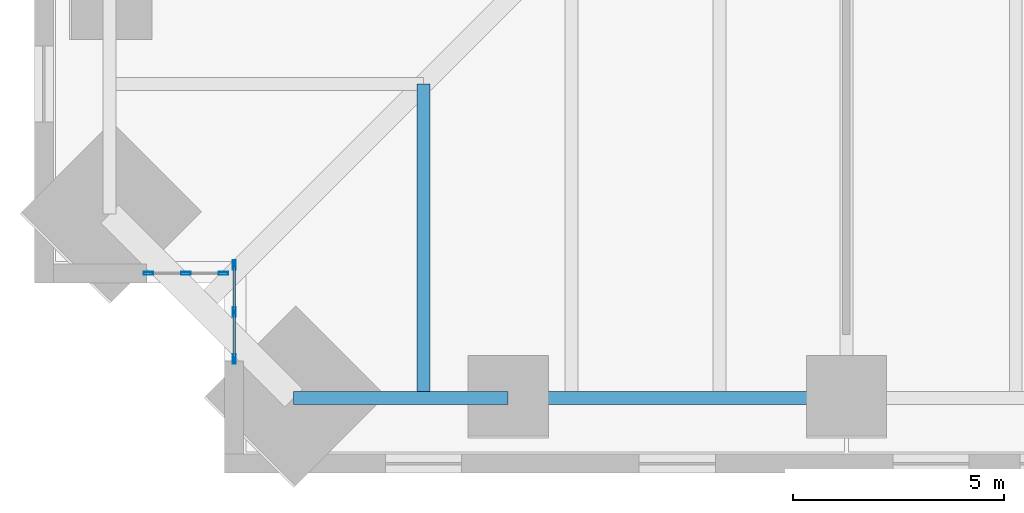
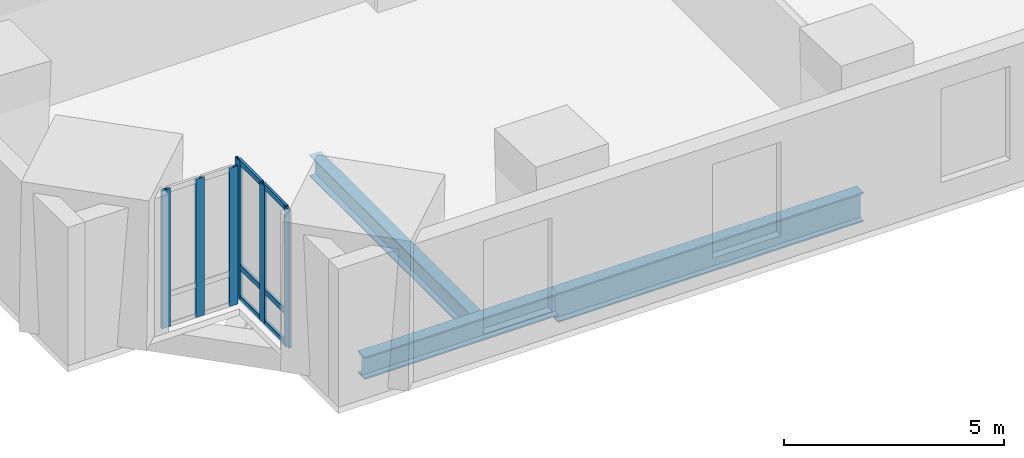
# One storey, part 2 of 16: 12 members, 3 beams, 2 elements without a shape of their own.
"""IFC4 building model written with IfcOpenShell, lengths in metres."""

from ifc_helpers import new_model, si_unit, direction, frame, origin, origin_2d, place, context, subcontext, project, spatial, hollow_rectangle, i_section, extrude, material, material_profile, profile_set, type_object, element, aggregate, save


model = new_model("IFC4")

# Units and contexts
model_context = context("Model", 3, precision=1e-05, world=origin(), true_north=direction((0.0, 1.0)))
body_context = subcontext(model_context, "Body", "Model", "MODEL_VIEW")
ifc_project = project(units=[si_unit("LENGTHUNIT", "METRE"), si_unit("AREAUNIT", "SQUARE_METRE"), si_unit("VOLUMEUNIT", "CUBIC_METRE"), si_unit("PLANEANGLEUNIT", "RADIAN"), si_unit("MASSUNIT", "GRAM", prefix="KILO")], contexts=[model_context])

# Site, building, storey
site_placement = place(None, origin())
site = spatial("IfcSite", under=ifc_project, at=site_placement, CompositionType="ELEMENT")
building_placement = place(site_placement, origin())
building = spatial("IfcBuilding", under=site, at=building_placement, Name="Peilmerk Tower", CompositionType="ELEMENT")
storey_placement = place(building_placement, frame((0.0, 0.0, 135.800048828125)))
storey = spatial("IfcBuildingStorey", under=building, at=storey_placement, Name="L27", CompositionType="ELEMENT", Elevation=135.800048828125)

# Beams
ifc_material_1 = material(Name="Steel S355", Category="steel")
ifc_material_profile_1 = material_profile(ifc_material_1, i_section(OverallWidth=0.302978515625, OverallDepth=0.81396484375, WebThickness=0.02099609375, FlangeThickness=0.0400390625, at=origin_2d()), Name="HEM 800")
ifc_profile_set_1 = profile_set([ifc_material_profile_1], Name="Steel S355")
beam_type_1 = type_object("IfcBeamType", Name="B15 HEM 800 edge beam", PredefinedType="SPANDREL", material=ifc_profile_set_1)
beam_1_placement = place(storey_placement, frame((-16.0, -25.4208984375, -0.5771484375), z_axis=(1.0, 0.0, 0.0), x_axis=(0.0, 1.0, 0.0)))
element("IfcBeam", 1, at=beam_1_placement, inside=storey, type_object=beam_type_1, Name="Edge beam L27", PredefinedType="SPANDREL", context=body_context, shape_type="SweptSolid", body=[
    extrude(i_section(OverallWidth=0.302978515625, OverallDepth=0.81396484375, WebThickness=0.02099609375, FlangeThickness=0.0400390625, at=origin_2d()), origin(), (0.0, 0.0, 1.0), 8.0),
])
ifc_material_profile_2 = material_profile(ifc_material_1, i_section(OverallWidth=0.300048828125, OverallDepth=0.590087890625, WebThickness=0.012939453125, FlangeThickness=0.02490234375, at=origin_2d()), Name="HEA 600")
ifc_profile_set_2 = profile_set([ifc_material_profile_2], Name="Steel S355")
beam_type_2 = type_object("IfcBeamType", Name="B27 HEA 600 floor beam", PredefinedType="BEAM", material=ifc_profile_set_2)
beam_2_placement = place(storey_placement, frame((-18.0, -18.0, -0.465087890625), z_axis=(0.0, -1.0, 0.0), x_axis=(1.0, 0.0, 0.0)))
element("IfcBeam", 2, at=beam_2_placement, inside=storey, type_object=beam_type_2, Name="Floor beam L27", PredefinedType="BEAM", context=body_context, shape_type="SweptSolid", body=[
    extrude(i_section(OverallWidth=0.300048828125, OverallDepth=0.590087890625, WebThickness=0.012939453125, FlangeThickness=0.02490234375, at=origin_2d()), origin(), (0.0, 0.0, 1.0), 7.4208984375),
])
ifc_material_profile_3 = material_profile(ifc_material_1, i_section(OverallWidth=0.304931640625, OverallDepth=0.6201171875, WebThickness=0.02099609375, FlangeThickness=0.0400390625, at=origin_2d()), Name="HEM 600")
ifc_profile_set_3 = profile_set([ifc_material_profile_3], Name="Steel S355")
beam_type_3 = type_object("IfcBeamType", Name="B31 HEM 600 edge beam", PredefinedType="SPANDREL", material=ifc_profile_set_3)
beam_3_placement = place(storey_placement, frame((-21.071044921875, -25.4208984375, -0.47998046875), z_axis=(1.0, 0.0, 0.0), x_axis=(0.0, 1.0, 0.0)))
element("IfcBeam", 3, at=beam_3_placement, inside=storey, type_object=beam_type_3, Name="Edge beam L27", PredefinedType="SPANDREL", context=body_context, shape_type="SweptSolid", body=[
    extrude(i_section(OverallWidth=0.304931640625, OverallDepth=0.6201171875, WebThickness=0.02099609375, FlangeThickness=0.0400390625, at=origin_2d()), origin(), (0.0, 0.0, 1.0), 5.071044921875),
])

# Curtain wall, members
ifc_material_2 = material(Name="Aluminium stick curtain wall", Category="aluminium")
curtain_wall_type = type_object("IfcCurtainWallType", Name="CW3 stick curtain wall, 2250 module", PredefinedType="NOTDEFINED", material=ifc_material_2)
curtain_wall_1_placement = place(storey_placement, origin())
curtain_wall_1 = element("IfcCurtainWall", 4, at=curtain_wall_1_placement, inside=storey, type_object=curtain_wall_type, Name="Curtain wall CW3 SWA L27", PredefinedType="NOTDEFINED")
ifc_material_3 = material(Name="Aluminium EN AW-6063 T6", Category="aluminium")
ifc_material_profile_4 = material_profile(ifc_material_3, hollow_rectangle(XDim=0.06494140625, YDim=0.22509765625, WallThickness=0.00390625, at=origin_2d()), Name="AL 225x65x4")
ifc_profile_set_4 = profile_set([ifc_material_profile_4], Name="Aluminium EN AW-6063 T6")
member_type_1 = type_object("IfcMemberType", Name="CW3-M AL 225x65x4 mullion", PredefinedType="MULLION", material=ifc_profile_set_4)
member_1_placement = place(storey_placement, frame((-22.47509765625, -22.282470703125, 0.0), z_axis=(0.0, 0.0, 1.0), x_axis=(1.0, 0.0, 0.0)))
member_1 = element("IfcMember", 5, at=member_1_placement, type_object=member_type_1, Name="CW3 mullion 1", PredefinedType="MULLION", context=body_context, shape_type="SweptSolid", body=[
    extrude(hollow_rectangle(XDim=0.06494140625, YDim=0.22509765625, WallThickness=0.00390625, at=origin_2d()), origin(), (0.0, 0.0, 1.0), 3.829833984375),
])
member_2_placement = place(storey_placement, frame((-22.47509765625, -23.394287109375, 0.0), z_axis=(0.0, 0.0, 1.0), x_axis=(1.0, 0.0, 0.0)))
member_2 = element("IfcMember", 6, at=member_2_placement, type_object=member_type_1, Name="CW3 mullion 2", PredefinedType="MULLION", context=body_context, shape_type="SweptSolid", body=[
    extrude(hollow_rectangle(XDim=0.06494140625, YDim=0.22509765625, WallThickness=0.00390625, at=origin_2d()), origin(), (0.0, 0.0, 1.0), 3.829833984375),
])
member_3_placement = place(storey_placement, frame((-22.47509765625, -24.506103515625, 0.0), z_axis=(0.0, 0.0, 1.0), x_axis=(1.0, 0.0, 0.0)))
member_3 = element("IfcMember", 7, at=member_3_placement, type_object=member_type_1, Name="CW3 mullion 3", PredefinedType="MULLION", context=body_context, shape_type="SweptSolid", body=[
    extrude(hollow_rectangle(XDim=0.06494140625, YDim=0.22509765625, WallThickness=0.00390625, at=origin_2d()), origin(), (0.0, 0.0, 1.0), 3.829833984375),
])

curtain_wall_2_placement = place(storey_placement, origin())
curtain_wall_2 = element("IfcCurtainWall", 8, at=curtain_wall_2_placement, inside=storey, type_object=curtain_wall_type, Name="Curtain wall CW3 SWB L27", PredefinedType="NOTDEFINED")
member_4_placement = place(storey_placement, frame((-22.732421875, -22.47509765625, 0.0), z_axis=(0.0, 0.0, 1.0), x_axis=(0.0, -1.0, 0.0)))
member_4 = element("IfcMember", 9, at=member_4_placement, type_object=member_type_1, Name="CW3 mullion 1", PredefinedType="MULLION", context=body_context, shape_type="SweptSolid", body=[
    extrude(hollow_rectangle(XDim=0.06494140625, YDim=0.22509765625, WallThickness=0.00390625, at=origin_2d()), origin(), (0.0, 0.0, 1.0), 3.829833984375),
])
member_5_placement = place(storey_placement, frame((-23.619384765625, -22.47509765625, 0.0), z_axis=(0.0, 0.0, 1.0), x_axis=(0.0, -1.0, 0.0)))
member_5 = element("IfcMember", 10, at=member_5_placement, type_object=member_type_1, Name="CW3 mullion 2", PredefinedType="MULLION", context=body_context, shape_type="SweptSolid", body=[
    extrude(hollow_rectangle(XDim=0.06494140625, YDim=0.22509765625, WallThickness=0.00390625, at=origin_2d()), origin(), (0.0, 0.0, 1.0), 3.829833984375),
])
member_6_placement = place(storey_placement, frame((-24.506103515625, -22.47509765625, 0.0), z_axis=(0.0, 0.0, 1.0), x_axis=(0.0, -1.0, 0.0)))
member_6 = element("IfcMember", 11, at=member_6_placement, type_object=member_type_1, Name="CW3 mullion 3", PredefinedType="MULLION", context=body_context, shape_type="SweptSolid", body=[
    extrude(hollow_rectangle(XDim=0.06494140625, YDim=0.22509765625, WallThickness=0.00390625, at=origin_2d()), origin(), (0.0, 0.0, 1.0), 3.829833984375),
])
aggregate(curtain_wall_2, [member_4, member_5, member_6])

# Member
ifc_material_profile_5 = material_profile(ifc_material_3, hollow_rectangle(XDim=0.06494140625, YDim=0.14990234375, WallThickness=0.0029296875, at=origin_2d()), Name="AL 150x65x3")
ifc_profile_set_5 = profile_set([ifc_material_profile_5], Name="Aluminium EN AW-6063 T6")
member_type_2 = type_object("IfcMemberType", Name="CW3-T AL 150x65x3 transom", PredefinedType="USERDEFINED", material=ifc_profile_set_5)
member_7_placement = place(storey_placement, frame((-22.47509765625, -22.31494140625, 0.032470703125), z_axis=(0.0, -1.0, 0.0), x_axis=(1.0, 0.0, 0.0)))
member_7 = element("IfcMember", 12, at=member_7_placement, type_object=member_type_2, Name="CW3 transom 1.1", ObjectType="TRANSOM", PredefinedType="USERDEFINED", context=body_context, shape_type="SweptSolid", body=[
    extrude(hollow_rectangle(XDim=0.06494140625, YDim=0.14990234375, WallThickness=0.0029296875, at=origin_2d()), origin(), (0.0, 0.0, 1.0), 1.046875),
])

member_8_placement = place(storey_placement, frame((-22.47509765625, -22.31494140625, 0.89990234375), z_axis=(0.0, -1.0, 0.0), x_axis=(1.0, 0.0, 0.0)))
member_8 = element("IfcMember", 13, at=member_8_placement, type_object=member_type_2, Name="CW3 transom 1.2", ObjectType="TRANSOM", PredefinedType="USERDEFINED", context=body_context, shape_type="SweptSolid", body=[
    extrude(hollow_rectangle(XDim=0.06494140625, YDim=0.14990234375, WallThickness=0.0029296875, at=origin_2d()), origin(), (0.0, 0.0, 1.0), 1.046875),
])

member_9_placement = place(storey_placement, frame((-22.47509765625, -22.31494140625, 3.79736328125), z_axis=(0.0, -1.0, 0.0), x_axis=(1.0, 0.0, 0.0)))
member_9 = element("IfcMember", 14, at=member_9_placement, type_object=member_type_2, Name="CW3 transom 1.3", ObjectType="TRANSOM", PredefinedType="USERDEFINED", context=body_context, shape_type="SweptSolid", body=[
    extrude(hollow_rectangle(XDim=0.06494140625, YDim=0.14990234375, WallThickness=0.0029296875, at=origin_2d()), origin(), (0.0, 0.0, 1.0), 1.046875),
])

member_10_placement = place(storey_placement, frame((-22.47509765625, -23.4267578125, 0.032470703125), z_axis=(0.0, -1.0, 0.0), x_axis=(1.0, 0.0, 0.0)))
member_10 = element("IfcMember", 15, at=member_10_placement, type_object=member_type_2, Name="CW3 transom 2.1", ObjectType="TRANSOM", PredefinedType="USERDEFINED", context=body_context, shape_type="SweptSolid", body=[
    extrude(hollow_rectangle(XDim=0.06494140625, YDim=0.14990234375, WallThickness=0.0029296875, at=origin_2d()), origin(), (0.0, 0.0, 1.0), 1.046875),
])

member_11_placement = place(storey_placement, frame((-22.47509765625, -23.4267578125, 0.89990234375), z_axis=(0.0, -1.0, 0.0), x_axis=(1.0, 0.0, 0.0)))
member_11 = element("IfcMember", 16, at=member_11_placement, type_object=member_type_2, Name="CW3 transom 2.2", ObjectType="TRANSOM", PredefinedType="USERDEFINED", context=body_context, shape_type="SweptSolid", body=[
    extrude(hollow_rectangle(XDim=0.06494140625, YDim=0.14990234375, WallThickness=0.0029296875, at=origin_2d()), origin(), (0.0, 0.0, 1.0), 1.046875),
])

member_12_placement = place(storey_placement, frame((-22.47509765625, -23.4267578125, 3.79736328125), z_axis=(0.0, -1.0, 0.0), x_axis=(1.0, 0.0, 0.0)))
member_12 = element("IfcMember", 17, at=member_12_placement, type_object=member_type_2, Name="CW3 transom 2.3", ObjectType="TRANSOM", PredefinedType="USERDEFINED", context=body_context, shape_type="SweptSolid", body=[
    extrude(hollow_rectangle(XDim=0.06494140625, YDim=0.14990234375, WallThickness=0.0029296875, at=origin_2d()), origin(), (0.0, 0.0, 1.0), 1.046875),
])

aggregate(curtain_wall_1, [member_1, member_2, member_3, member_7, member_8, member_9, member_10, member_11, member_12])

save(model, "model.ifc")
